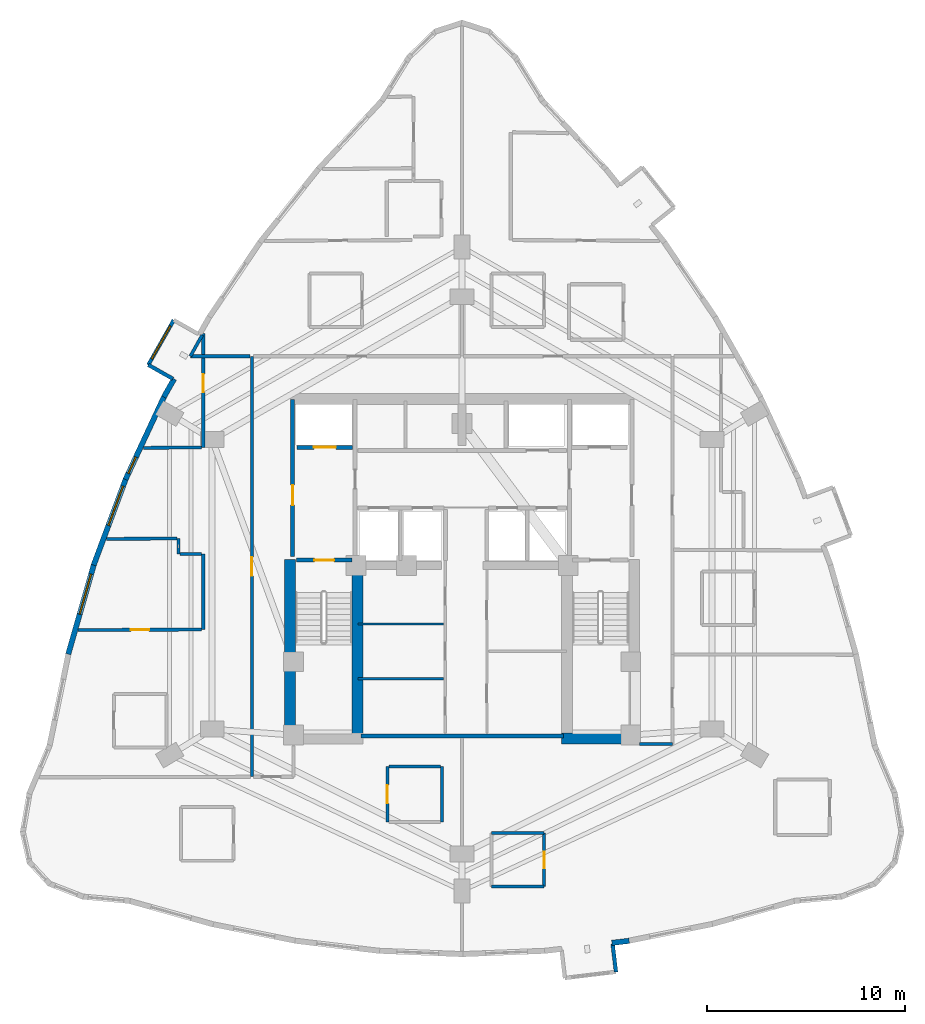
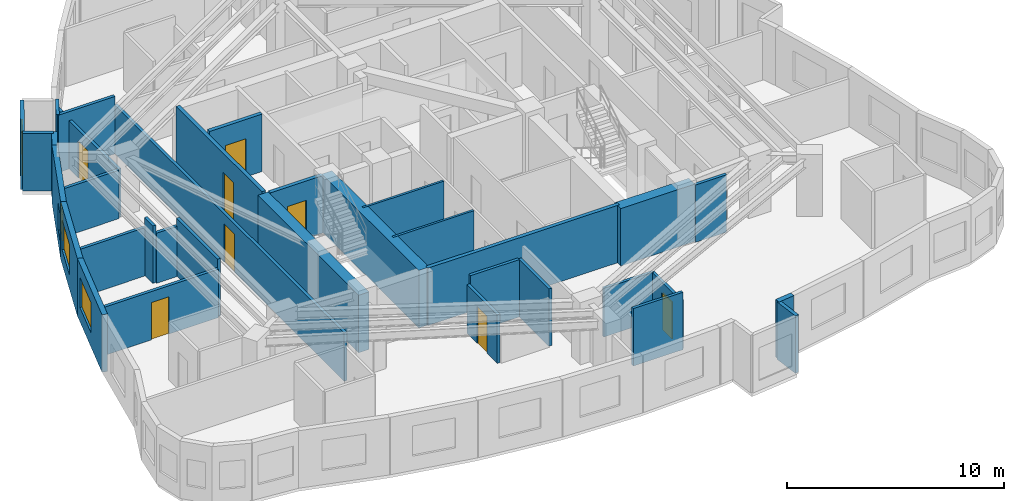
# One storey, part 7 of 12: 34 walls, 8 doors, 4 windows, 12 openings.
"""IFC4 building model written with IfcOpenShell, lengths in metres."""

from ifc_helpers import new_model, si_unit, direction, frame, frame_2d, origin, place, context, subcontext, project, spatial, rectangle, extrude, material, layer, layer_set, type_object, element, fill, save


model = new_model("IFC4")

# Units and contexts
model_context = context("Model", 3, precision=1e-05, world=origin(), true_north=direction((0.0, 1.0)))
body_context = subcontext(model_context, "Body", "Model", "MODEL_VIEW")
ifc_project = project(units=[si_unit("LENGTHUNIT", "METRE"), si_unit("AREAUNIT", "SQUARE_METRE"), si_unit("VOLUMEUNIT", "CUBIC_METRE"), si_unit("PLANEANGLEUNIT", "RADIAN"), si_unit("MASSUNIT", "GRAM", prefix="KILO")], contexts=[model_context])

# Site, building, storey
site_placement = place(None, origin())
site = spatial("IfcSite", under=ifc_project, at=site_placement, CompositionType="ELEMENT")
building_placement = place(site_placement, origin())
building = spatial("IfcBuilding", under=site, at=building_placement, Name="Miruveldt Soraemaru", CompositionType="ELEMENT")
storey_placement = place(building_placement, frame((0.0, 0.0, 103.89990234375)))
storey = spatial("IfcBuildingStorey", under=building, at=storey_placement, Name="L28", CompositionType="ELEMENT", Elevation=103.89990234375)

# Wall
ifc_material_1 = material(Name="White powder-coated aluminium EN AW-6060 T6", Category="aluminium")
ifc_layer_1 = layer(ifc_material_1, 0.18994140625, Name="White powder-coated aluminium EN AW-6060 T6", Category="aluminium")
ifc_layer_set_1 = layer_set([ifc_layer_1], Name="White powder-coated aluminium EN AW-6060 T6")
wall_type_1 = type_object("IfcWallType", Name="WALL-BAY-ALU190", PredefinedType="SOLIDWALL", material=ifc_layer_set_1)
wall_1_placement = place(storey_placement, frame((28.179931640625, 54.162109375, 0.0), z_axis=(0.0, 0.0, 1.0), x_axis=(0.869914393652, -0.493202745042, 0.0)))
element("IfcWall", 1, at=wall_1_placement, inside=storey, type_object=wall_type_1, Name="L28 Bay Window Side Cheek 4R", PredefinedType="SOLIDWALL", context=body_context, shape_type="SweptSolid", body=[
    extrude(rectangle(XDim=1.425048828125, YDim=0.18994140625, at=frame_2d((0.71240234375, 0.0))), origin(), (0.0, 0.0, 1.0), 3.235107421875),
])

# Wall, opening, window
wall_2_placement = place(storey_placement, frame((29.462646484375, 56.423828125, 0.0), z_axis=(0.0, 0.0, 1.0), x_axis=(-0.493325260824, -0.869844921255, 0.0)))
wall_2 = element("IfcWall", 2, at=wall_2_placement, inside=storey, type_object=wall_type_1, Name="L28 Bay Window Front Frame 4", PredefinedType="SOLIDWALL", context=body_context, shape_type="SweptSolid", body=[
    extrude(rectangle(XDim=2.60009765625, YDim=0.18994140625, at=frame_2d((1.300048828125, 0.0))), origin(), (0.0, 0.0, 1.0), 3.235107421875),
])
opening_1_placement = place(wall_2_placement, frame((0.35009765625, 0.0, 0.550048828125)))
opening_1 = element("IfcOpeningElement", 3, at=opening_1_placement, cuts=wall_2, Name="Opening WN-6", PredefinedType="OPENING", context=body_context, shape_type="SweptSolid", body=[
    extrude(rectangle(XDim=1.89990234375, YDim=1.85009765625, at=frame_2d((0.949951171875, 0.925048828125))), frame((0.0, 0.10498046875, 0.0), z_axis=(0.0, -1.0, 0.0), x_axis=(1.0, 0.0, 0.0)), (0.0, 0.0, 1.0), 0.2099609375),
])
ifc_material_2 = material(Name="Triple low-e insulated glazing", Category="glass")
window_type_1 = type_object("IfcWindowType", Name="WIN-BAYW-1900x1850", PartitioningType="SINGLE_PANEL", PredefinedType="WINDOW", material=ifc_material_2)
window_1_placement = place(opening_1_placement, origin())
window_1 = element("IfcWindow", 4, at=window_1_placement, inside=storey, type_object=window_type_1, Name="L28 Projecting Bay Window 4", OverallHeight=1.85009765625, OverallWidth=1.89990234375, PartitioningType="SINGLE_PANEL", PredefinedType="WINDOW", context=body_context, shape_type="SweptSolid", body=[
    extrude(rectangle(XDim=1.89990234375, YDim=1.85009765625, at=frame_2d((0.949951171875, 0.925048828125))), frame((0.0, 0.030029296875, 0.0), z_axis=(0.0, -1.0, 0.0), x_axis=(1.0, 0.0, 0.0)), (0.0, 0.0, 1.0), 0.06005859375),
])
fill(opening_1, window_1)

# Walls
wall_3_placement = place(storey_placement, frame((51.755615234375, 23.561279296875, 0.0), z_axis=(0.0, 0.0, 1.0), x_axis=(-0.119057405757, 0.992887372331, 0.0)))
element("IfcWall", 5, at=wall_3_placement, inside=storey, type_object=wall_type_1, Name="L28 Bay Window Side Cheek 1R", PredefinedType="SOLIDWALL", context=body_context, shape_type="SweptSolid", body=[
    extrude(rectangle(XDim=1.42529296875, YDim=0.18994140625, at=frame_2d((0.712646484375, 0.0))), origin(), (0.0, 0.0, 1.0), 3.235107421875),
])
ifc_material_3 = material(Name="Concrete C70/85 (70 MPa)", Category="concrete")
ifc_layer_2 = layer(ifc_material_3, 0.550048828125, Name="Concrete C70/85 (70 MPa)", Category="concrete")
ifc_layer_set_2 = layer_set([ifc_layer_2], Name="Concrete C70/85 (70 MPa)")
wall_type_2 = type_object("IfcWallType", Name="WALL-CW-550", PredefinedType="SHEAR", material=ifc_layer_set_2)
wall_4_placement = place(storey_placement, frame((49.0, 35.324951171875, 0.0), z_axis=(0.0, 0.0, 1.0), x_axis=(1.0, 0.0, 0.0)))
element("IfcWall", 6, at=wall_4_placement, inside=storey, type_object=wall_type_2, Name="L28 Central Core Shear Wall S2", PredefinedType="SHEAR", context=body_context, shape_type="SweptSolid", body=[
    extrude(rectangle(XDim=3.949951171875, YDim=0.550048828125, at=frame_2d((1.97509765625, 0.0))), origin(), (0.0, 0.0, 1.0), 3.235107421875),
])
wall_5_placement = place(storey_placement, frame((35.324951171875, 35.050048828125, 0.0), z_axis=(0.0, 0.0, 1.0), x_axis=(0.0, 1.0, 0.0)))
element("IfcWall", 7, at=wall_5_placement, inside=storey, type_object=wall_type_2, Name="L28 Central Core Shear Wall W1", PredefinedType="SHEAR", context=body_context, shape_type="SweptSolid", body=[
    extrude(rectangle(XDim=9.300048828125, YDim=0.550048828125, at=frame_2d((4.64990234375, 0.0))), origin(), (0.0, 0.0, 1.0), 3.235107421875),
])
wall_6_placement = place(storey_placement, frame((38.72509765625, 35.39990234375, 0.0), z_axis=(0.0, 0.0, 1.0), x_axis=(0.0, 1.0, 0.0)))
element("IfcWall", 8, at=wall_6_placement, inside=storey, type_object=wall_type_2, Name="L28 Central Core Shear Wall SW-INT", PredefinedType="SHEAR", context=body_context, shape_type="SweptSolid", body=[
    extrude(rectangle(XDim=8.9501953125, YDim=0.550048828125, at=frame_2d((4.47509765625, 0.0))), origin(), (0.0, 0.0, 1.0), 3.235107421875),
])
ifc_material_4 = material(Name="Precast concrete C45/55 (45 MPa)", Category="concrete")
ifc_layer_3 = layer(ifc_material_4, 0.27001953125, Name="Precast concrete C45/55 (45 MPa)", Category="concrete")
ifc_layer_set_3 = layer_set([ifc_layer_3], Name="Precast concrete C45/55 (45 MPa)")
wall_type_3 = type_object("IfcWallType", Name="WALL-EXT-PC270", PredefinedType="SOLIDWALL", material=ifc_layer_set_3)
wall_7_placement = place(storey_placement, frame((29.482177734375, 53.458251953125, 0.0), z_axis=(0.0, 0.0, 1.0), x_axis=(-0.493468236587, -0.869763818217, 0.0)))
element("IfcWall", 9, at=wall_7_placement, inside=storey, type_object=wall_type_3, Name="L28 Precast Pier Wall 10B", PredefinedType="SOLIDWALL", context=body_context, shape_type="SweptSolid", body=[
    extrude(rectangle(XDim=1.05419921875, YDim=0.27001953125, at=frame_2d((0.527099609375, 0.0))), origin(), (0.0, 0.0, 1.0), 3.235107421875),
])

# Wall, opening, window
wall_8_placement = place(storey_placement, frame((28.994140625, 52.603271484375, 0.0), z_axis=(0.0, 0.0, 1.0), x_axis=(-0.422316092013, -0.906448629778, 0.0)))
wall_8 = element("IfcWall", 10, at=wall_8_placement, inside=storey, type_object=wall_type_3, Name="L28 Precast Concrete Facade Wall 11", PredefinedType="SOLIDWALL", context=body_context, shape_type="SweptSolid", body=[
    extrude(rectangle(XDim=4.6484375, YDim=0.27001953125, at=frame_2d((2.32421875, 0.0))), origin(), (0.0, 0.0, 1.0), 3.235107421875),
])
opening_2_placement = place(wall_8_placement, frame((3.407958984375, 0.0, 0.780029296875)))
opening_2 = element("IfcOpeningElement", 11, at=opening_2_placement, cuts=wall_8, Name="Opening WN-7", PredefinedType="OPENING", context=body_context, shape_type="SweptSolid", body=[
    extrude(rectangle(XDim=0.89990234375, YDim=1.5, at=frame_2d((0.449951171875, 0.75))), frame((0.0, 0.14501953125, 0.0), z_axis=(0.0, -1.0, 0.0), x_axis=(1.0, 0.0, 0.0)), (0.0, 0.0, 1.0), 0.2900390625),
])
window_type_2 = type_object("IfcWindowType", Name="WIN-PUNCH-900x1500", PartitioningType="SINGLE_PANEL", PredefinedType="WINDOW", material=ifc_material_2)
window_2_placement = place(opening_2_placement, origin())
window_2 = element("IfcWindow", 12, at=window_2_placement, inside=storey, type_object=window_type_2, Name="L28 Punched Triple-Glazed Window 11.1", OverallHeight=1.5, OverallWidth=0.89990234375, PartitioningType="SINGLE_PANEL", PredefinedType="WINDOW", context=body_context, shape_type="SweptSolid", body=[
    extrude(rectangle(XDim=0.89990234375, YDim=1.5, at=frame_2d((0.449951171875, 0.75))), frame((0.0, 0.030029296875, 0.0), z_axis=(0.0, -1.0, 0.0), x_axis=(1.0, 0.0, 0.0)), (0.0, 0.0, 1.0), 0.06005859375),
])
fill(opening_2, window_2)

wall_9_placement = place(storey_placement, frame((27.057861328125, 48.4541015625, 0.0), z_axis=(0.0, 0.0, 1.0), x_axis=(-0.34901196631, -0.937118267548, 0.0)))
wall_9 = element("IfcWall", 13, at=wall_9_placement, inside=storey, type_object=wall_type_3, Name="L28 Precast Concrete Facade Wall 12", PredefinedType="SOLIDWALL", context=body_context, shape_type="SweptSolid", body=[
    extrude(rectangle(XDim=4.677734375, YDim=0.27001953125, at=frame_2d((2.3388671875, 0.0))), origin(), (0.0, 0.0, 1.0), 3.235107421875),
])
opening_3_placement = place(wall_9_placement, frame((0.43798828125, 0.0, 0.800048828125)))
opening_3 = element("IfcOpeningElement", 14, at=opening_3_placement, cuts=wall_9, Name="Opening WN-1", PredefinedType="OPENING", context=body_context, shape_type="SweptSolid", body=[
    extrude(rectangle(XDim=2.10009765625, YDim=1.699951171875, at=frame_2d((1.050048828125, 0.85009765625))), frame((0.0, 0.14501953125, 0.0), z_axis=(0.0, -1.0, 0.0), x_axis=(1.0, 0.0, 0.0)), (0.0, 0.0, 1.0), 0.2900390625),
])
window_type_3 = type_object("IfcWindowType", Name="WIN-PUNCH-2100x1700", PartitioningType="SINGLE_PANEL", PredefinedType="WINDOW", material=ifc_material_2)
window_3_placement = place(opening_3_placement, origin())
window_3 = element("IfcWindow", 15, at=window_3_placement, inside=storey, type_object=window_type_3, Name="L28 Punched Triple-Glazed Window 12.1", OverallHeight=1.699951171875, OverallWidth=2.10009765625, PartitioningType="SINGLE_PANEL", PredefinedType="WINDOW", context=body_context, shape_type="SweptSolid", body=[
    extrude(rectangle(XDim=2.10009765625, YDim=1.699951171875, at=frame_2d((1.050048828125, 0.85009765625))), frame((0.0, 0.030029296875, 0.0), z_axis=(0.0, -1.0, 0.0), x_axis=(1.0, 0.0, 0.0)), (0.0, 0.0, 1.0), 0.06005859375),
])
fill(opening_3, window_3)

wall_10_placement = place(storey_placement, frame((25.447021484375, 44.13720703125, 0.0), z_axis=(0.0, 0.0, 1.0), x_axis=(-0.274932196805, -0.961463617179, 0.0)))
wall_10 = element("IfcWall", 16, at=wall_10_placement, inside=storey, type_object=wall_type_3, Name="L28 Precast Concrete Facade Wall 13", PredefinedType="SOLIDWALL", context=body_context, shape_type="SweptSolid", body=[
    extrude(rectangle(XDim=4.73583984375, YDim=0.27001953125, at=frame_2d((2.367919921875, 0.0))), origin(), (0.0, 0.0, 1.0), 3.235107421875),
])
opening_4_placement = place(wall_10_placement, frame((0.5439453125, 0.0, 0.800048828125)))
opening_4 = element("IfcOpeningElement", 17, at=opening_4_placement, cuts=wall_10, Name="Opening WN-1", PredefinedType="OPENING", context=body_context, shape_type="SweptSolid", body=[
    extrude(rectangle(XDim=2.10009765625, YDim=1.699951171875, at=frame_2d((1.050048828125, 0.85009765625))), frame((0.0, 0.14501953125, 0.0), z_axis=(0.0, -1.0, 0.0), x_axis=(1.0, 0.0, 0.0)), (0.0, 0.0, 1.0), 0.2900390625),
])
window_4_placement = place(opening_4_placement, origin())
window_4 = element("IfcWindow", 18, at=window_4_placement, inside=storey, type_object=window_type_3, Name="L28 Punched Triple-Glazed Window 13.1", OverallHeight=1.699951171875, OverallWidth=2.10009765625, PartitioningType="SINGLE_PANEL", PredefinedType="WINDOW", context=body_context, shape_type="SweptSolid", body=[
    extrude(rectangle(XDim=2.10009765625, YDim=1.699951171875, at=frame_2d((1.050048828125, 0.85009765625))), frame((0.0, 0.030029296875, 0.0), z_axis=(0.0, -1.0, 0.0), x_axis=(1.0, 0.0, 0.0)), (0.0, 0.0, 1.0), 0.06005859375),
])
fill(opening_4, window_4)

# Walls
wall_11_placement = place(storey_placement, frame((51.549560546875, 25.02734375, 0.0), z_axis=(0.0, 0.0, 1.0), x_axis=(0.992866288906, 0.119233100912, 0.0)))
element("IfcWall", 19, at=wall_11_placement, inside=storey, type_object=wall_type_3, Name="L28 Precast Pier Wall 26B", PredefinedType="SOLIDWALL", context=body_context, shape_type="SweptSolid", body=[
    extrude(rectangle(XDim=0.87646484375, YDim=0.27001953125, at=frame_2d((0.438232421875, 0.0))), origin(), (0.0, 0.0, 1.0), 3.235107421875),
])
ifc_material_5 = material(Name="Gypsum plasterboard lining", Category="gypsum")
ifc_layer_4 = layer(ifc_material_5, 0.1201171875, Name="Gypsum plasterboard lining", Category="gypsum")
ifc_layer_set_4 = layer_set([ifc_layer_4], Name="Gypsum plasterboard lining")
wall_type_4 = type_object("IfcWallType", Name="WALL-INT-P120", PredefinedType="PARTITIONING", material=ifc_layer_set_4)
for number, where, z_axis, x_axis, name in (
    (20, (38.75, 38.35009765625, 0.0), (0.0, 0.0, 1.0), (1.0, 0.0, 0.0), "L28 Core Compartment Wall RL-W3A"),
    (21, (38.75, 41.10009765625, 0.0), (0.0, 0.0, 1.0), (1.0, 0.0, 0.0), "L28 Core Compartment Wall RL-W3B"),
):
    element("IfcWall", number, at=place(storey_placement, frame(where, z_axis=z_axis, x_axis=x_axis)), inside=storey, type_object=wall_type_4, Name=name, PredefinedType="PARTITIONING", context=body_context, shape_type="SweptSolid", body=[
        extrude(rectangle(XDim=4.300048828125, YDim=0.1201171875, at=frame_2d((2.14990234375, 0.0))), origin(), (0.0, 0.0, 1.0), 3.235107421875),
    ])

# Wall, opening, door
ifc_layer_5 = layer(ifc_material_5, 0.14990234375, Name="Gypsum plasterboard lining", Category="gypsum")
ifc_layer_set_5 = layer_set([ifc_layer_5], Name="Gypsum plasterboard lining")
wall_type_5 = type_object("IfcWallType", Name="WALL-INT-PLUMB", PredefinedType="PLUMBINGWALL", material=ifc_layer_set_5)
wall_12_placement = place(storey_placement, frame((48.1298828125, 27.868896484375, 0.0), z_axis=(0.0, 0.0, 1.0), x_axis=(0.0, 1.0, 0.0)))
wall_12 = element("IfcWall", 22, at=wall_12_placement, inside=storey, type_object=wall_type_5, Name="L28 Partition Wall 49", PredefinedType="PLUMBINGWALL", context=body_context, shape_type="SweptSolid", body=[
    extrude(rectangle(XDim=2.7001953125, YDim=0.14990234375, at=frame_2d((1.35009765625, 0.0))), origin(), (0.0, 0.0, 1.0), 2.72314453125),
])
opening_5_placement = place(wall_12_placement, frame((0.909912109375, 0.0, 0.0)))
opening_5 = element("IfcOpeningElement", 23, at=opening_5_placement, cuts=wall_12, Name="Opening FD3", PredefinedType="OPENING", context=body_context, shape_type="SweptSolid", body=[
    extrude(rectangle(XDim=0.85009765625, YDim=2.10009765625, at=frame_2d((0.425048828125, 1.050048828125))), frame((0.0, 0.0849609375, 0.0), z_axis=(0.0, -1.0, 0.0), x_axis=(1.0, 0.0, 0.0)), (0.0, 0.0, 1.0), 0.169921875),
])
ifc_material_6 = material(Name="Anodised aluminium EN AW-6063 T6", Category="aluminium")
door_type_1 = type_object("IfcDoorType", Name="DOOR-FD3-850", OperationType="NOTDEFINED", PredefinedType="DOOR", material=ifc_material_6)
door_1_placement = place(opening_5_placement, origin())
door_1 = element("IfcDoor", 24, at=door_1_placement, inside=storey, type_object=door_type_1, Name="L28 Unit CL04 BTH Door", OperationType="SINGLE_SWING_LEFT", OverallHeight=2.10009765625, OverallWidth=0.85009765625, PredefinedType="DOOR", context=body_context, shape_type="SweptSolid", body=[
    extrude(rectangle(XDim=0.85009765625, YDim=2.10009765625, at=frame_2d((0.425048828125, 1.050048828125))), frame((0.0, 0.02490234375, 0.0), z_axis=(0.0, -1.0, 0.0), x_axis=(1.0, 0.0, 0.0)), (0.0, 0.0, 1.0), 0.050048828125),
])
fill(opening_5, door_1)

# Walls
wall_13_placement = place(storey_placement, frame((48.1298828125, 30.569091796875, 0.0), z_axis=(0.0, 0.0, 1.0), x_axis=(-1.0, 0.0, 0.0)))
element("IfcWall", 25, at=wall_13_placement, inside=storey, type_object=wall_type_5, Name="L28 Partition Wall 50", PredefinedType="PLUMBINGWALL", context=body_context, shape_type="SweptSolid", body=[
    extrude(rectangle(XDim=2.64990234375, YDim=0.14990234375, at=frame_2d((1.324951171875, 0.0))), origin(), (0.0, 0.0, 1.0), 2.735107421875),
])
wall_14_placement = place(storey_placement, frame((45.47998046875, 27.868896484375, 0.0), z_axis=(0.0, 0.0, 1.0), x_axis=(1.0, 0.0, 0.0)))
element("IfcWall", 26, at=wall_14_placement, inside=storey, type_object=wall_type_5, Name="L28 Partition Wall 52", PredefinedType="PLUMBINGWALL", context=body_context, shape_type="SweptSolid", body=[
    extrude(rectangle(XDim=2.64990234375, YDim=0.14990234375, at=frame_2d((1.324951171875, 0.0))), origin(), (0.0, 0.0, 1.0), 3.235107421875),
])

# Wall, opening, door
ifc_material_7 = material(Name="Concrete C40/50 (40 MPa)", Category="concrete")
ifc_layer_6 = layer(ifc_material_7, 0.159912109375, Name="Concrete C40/50 (40 MPa)", Category="concrete")
ifc_layer_set_6 = layer_set([ifc_layer_6], Name="Concrete C40/50 (40 MPa)")
wall_type_6 = type_object("IfcWallType", Name="WALL-INT-RC160", PredefinedType="SOLIDWALL", material=ifc_layer_set_6)
wall_15_placement = place(storey_placement, frame((33.39990234375, 54.595947265625, 0.0), z_axis=(0.0, 0.0, 1.0), x_axis=(0.0, -1.0, 0.0)))
wall_15 = element("IfcWall", 27, at=wall_15_placement, inside=storey, type_object=wall_type_6, Name="L28 Partition Wall 3", PredefinedType="SOLIDWALL", context=body_context, shape_type="SweptSolid", body=[
    extrude(rectangle(XDim=21.19189453125, YDim=0.159912109375, at=frame_2d((10.595947265625, 0.0))), origin(), (0.0, 0.0, 1.0), 2.72314453125),
])
opening_6_placement = place(wall_15_placement, frame((10.12109375, 0.0, 0.0)))
opening_6 = element("IfcOpeningElement", 28, at=opening_6_placement, cuts=wall_15, Name="Opening FD2", PredefinedType="OPENING", context=body_context, shape_type="SweptSolid", body=[
    extrude(rectangle(XDim=0.949951171875, YDim=2.14990234375, at=frame_2d((0.47509765625, 1.074951171875))), frame((0.0, 0.08984375, 0.0), z_axis=(0.0, -1.0, 0.0), x_axis=(1.0, 0.0, 0.0)), (0.0, 0.0, 1.0), 0.179931640625),
])
door_type_2 = type_object("IfcDoorType", Name="DOOR-FD2-950", OperationType="NOTDEFINED", PredefinedType="DOOR", material=ifc_material_6)
door_2_placement = place(opening_6_placement, origin())
door_2 = element("IfcDoor", 29, at=door_2_placement, inside=storey, type_object=door_type_2, Name="L28 Unit 2803 Entrance Fire Door", OperationType="SINGLE_SWING_RIGHT", OverallHeight=2.14990234375, OverallWidth=0.949951171875, PredefinedType="DOOR", context=body_context, shape_type="SweptSolid", body=[
    extrude(rectangle(XDim=0.949951171875, YDim=2.14990234375, at=frame_2d((0.47509765625, 1.074951171875))), frame((0.0, 0.02490234375, 0.0), z_axis=(0.0, -1.0, 0.0), x_axis=(1.0, 0.0, 0.0)), (0.0, 0.0, 1.0), 0.050048828125),
])
fill(opening_6, door_2)

wall_16_placement = place(storey_placement, frame((30.8701171875, 40.820068359375, 0.0), z_axis=(0.0, 0.0, 1.0), x_axis=(-0.999995315221, -0.003060969884, 0.0)))
wall_16 = element("IfcWall", 30, at=wall_16_placement, inside=storey, type_object=wall_type_6, Name="L28 Partition Wall 45", PredefinedType="SOLIDWALL", context=body_context, shape_type="SweptSolid", body=[
    extrude(rectangle(XDim=6.22119140625, YDim=0.159912109375, at=frame_2d((3.110595703125, 0.0))), origin(), (0.0, 0.0, 1.0), 2.72314453125),
])
opening_7_placement = place(wall_16_placement, frame((2.65087890625, 0.0, 0.0)))
opening_7 = element("IfcOpeningElement", 31, at=opening_7_placement, cuts=wall_16, Name="Opening D3A", PredefinedType="OPENING", context=body_context, shape_type="SweptSolid", body=[
    extrude(rectangle(XDim=0.919921875, YDim=2.10009765625, at=frame_2d((0.4599609375, 1.050048828125))), frame((0.0, 0.08984375, 0.0), z_axis=(0.0, -1.0, 0.0), x_axis=(1.0, 0.0, 0.0)), (0.0, 0.0, 1.0), 0.179931640625),
])
door_type_3 = type_object("IfcDoorType", Name="DOOR-INT-920", OperationType="NOTDEFINED", PredefinedType="DOOR", material=ifc_material_6)
door_3_placement = place(opening_7_placement, origin())
door_3 = element("IfcDoor", 32, at=door_3_placement, inside=storey, type_object=door_type_3, Name="L28 Unit 2803 BD1 Door", OperationType="SINGLE_SWING_RIGHT", OverallHeight=2.10009765625, OverallWidth=0.919921875, PredefinedType="DOOR", context=body_context, shape_type="SweptSolid", body=[
    extrude(rectangle(XDim=0.919921875, YDim=2.10009765625, at=frame_2d((0.4599609375, 1.050048828125))), frame((0.0, 0.02490234375, 0.0), z_axis=(0.0, -1.0, 0.0), x_axis=(1.0, 0.0, 0.0)), (0.0, 0.0, 1.0), 0.050048828125),
])
fill(opening_7, door_3)

wall_17_placement = place(storey_placement, frame((30.949951171875, 55.741943359375, 0.0), z_axis=(0.0, 0.0, 1.0), x_axis=(0.0, -1.0, 0.0)))
wall_17 = element("IfcWall", 33, at=wall_17_placement, inside=storey, type_object=wall_type_6, Name="L28 Partition Wall 46", PredefinedType="SOLIDWALL", context=body_context, shape_type="SweptSolid", body=[
    extrude(rectangle(XDim=5.73486328125, YDim=0.159912109375, at=frame_2d((2.867431640625, 0.0))), origin(), (0.0, 0.0, 1.0), 2.72314453125),
])
opening_8_placement = place(wall_17_placement, frame((2.047119140625, 0.0, 0.0)))
opening_8 = element("IfcOpeningElement", 34, at=opening_8_placement, cuts=wall_17, Name="Opening D3A", PredefinedType="OPENING", context=body_context, shape_type="SweptSolid", body=[
    extrude(rectangle(XDim=0.919921875, YDim=2.10009765625, at=frame_2d((0.4599609375, 1.050048828125))), frame((0.0, 0.08984375, 0.0), z_axis=(0.0, -1.0, 0.0), x_axis=(1.0, 0.0, 0.0)), (0.0, 0.0, 1.0), 0.179931640625),
])
door_4_placement = place(opening_8_placement, origin())
door_4 = element("IfcDoor", 35, at=door_4_placement, inside=storey, type_object=door_type_3, Name="L28 Unit 2803 EXT Door", OperationType="SINGLE_SWING_LEFT", OverallHeight=2.10009765625, OverallWidth=0.919921875, PredefinedType="DOOR", context=body_context, shape_type="SweptSolid", body=[
    extrude(rectangle(XDim=0.919921875, YDim=2.10009765625, at=frame_2d((0.4599609375, 1.050048828125))), frame((0.0, 0.02490234375, 0.0), z_axis=(0.0, -1.0, 0.0), x_axis=(1.0, 0.0, 0.0)), (0.0, 0.0, 1.0), 0.050048828125),
])
fill(opening_8, door_4)

wall_18_placement = place(storey_placement, frame((40.23193359375, 33.9189453125, 0.0), z_axis=(0.0, 0.0, 1.0), x_axis=(0.0, -1.0, 0.0)))
wall_18 = element("IfcWall", 36, at=wall_18_placement, inside=storey, type_object=wall_type_6, Name="L28 Partition Wall 72", PredefinedType="SOLIDWALL", context=body_context, shape_type="SweptSolid", body=[
    extrude(rectangle(XDim=2.800048828125, YDim=0.159912109375, at=frame_2d((1.39990234375, 0.0))), origin(), (0.0, 0.0, 1.0), 2.735107421875),
])
opening_9_placement = place(wall_18_placement, frame((0.93994140625, 0.0, 0.0)))
opening_9 = element("IfcOpeningElement", 37, at=opening_9_placement, cuts=wall_18, Name="Opening D3A", PredefinedType="OPENING", context=body_context, shape_type="SweptSolid", body=[
    extrude(rectangle(XDim=0.919921875, YDim=2.10009765625, at=frame_2d((0.4599609375, 1.050048828125))), frame((0.0, 0.08984375, 0.0), z_axis=(0.0, -1.0, 0.0), x_axis=(1.0, 0.0, 0.0)), (0.0, 0.0, 1.0), 0.179931640625),
])
door_5_placement = place(opening_9_placement, origin())
door_5 = element("IfcDoor", 38, at=door_5_placement, inside=storey, type_object=door_type_3, Name="L28 Unit CL06 KIT Door", OperationType="SINGLE_SWING_RIGHT", OverallHeight=2.10009765625, OverallWidth=0.919921875, PredefinedType="DOOR", context=body_context, shape_type="SweptSolid", body=[
    extrude(rectangle(XDim=0.919921875, YDim=2.10009765625, at=frame_2d((0.4599609375, 1.050048828125))), frame((0.0, 0.02490234375, 0.0), z_axis=(0.0, -1.0, 0.0), x_axis=(1.0, 0.0, 0.0)), (0.0, 0.0, 1.0), 0.050048828125),
])
fill(opening_9, door_5)

# Walls
wall_19_placement = place(storey_placement, frame((30.949951171875, 44.6298828125, 0.0), z_axis=(0.0, 0.0, 1.0), x_axis=(0.0, -1.0, 0.0)))
element("IfcWall", 39, at=wall_19_placement, inside=storey, type_object=wall_type_6, Name="L28 Partition Wall 44", PredefinedType="SOLIDWALL", context=body_context, shape_type="SweptSolid", body=[
    extrude(rectangle(XDim=3.809814453125, YDim=0.159912109375, at=frame_2d((1.90478515625, 0.0))), origin(), (0.0, 0.0, 1.0), 3.235107421875),
])
wall_20_placement = place(storey_placement, frame((26.075927734375, 45.388916015625, 0.0), z_axis=(0.0, 0.0, 1.0), x_axis=(0.999978549982, 0.006549776768, 0.0)))
element("IfcWall", 40, at=wall_20_placement, inside=storey, type_object=wall_type_6, Name="L28 Partition Wall 41", PredefinedType="SOLIDWALL", context=body_context, shape_type="SweptSolid", body=[
    extrude(rectangle(XDim=3.541015625, YDim=0.159912109375, at=frame_2d((1.7705078125, 0.0))), origin(), (0.0, 0.0, 1.0), 2.72314453125),
])
wall_21_placement = place(storey_placement, frame((30.302001953125, 54.60009765625, 0.0), z_axis=(0.0, 0.0, 1.0), x_axis=(1.0, 0.0, 0.0)))
element("IfcWall", 41, at=wall_21_placement, inside=storey, type_object=wall_type_6, Name="L28 Partition Wall 21", PredefinedType="SOLIDWALL", context=body_context, shape_type="SweptSolid", body=[
    extrude(rectangle(XDim=3.013916015625, YDim=0.159912109375, at=frame_2d((1.5068359375, 0.0))), origin(), (0.0, 0.0, 1.0), 3.235107421875),
])
wall_22_placement = place(storey_placement, frame((30.8701171875, 50.006103515625, 0.0), z_axis=(0.0, 0.0, 1.0), x_axis=(-0.999954220456, -0.0095685418, 0.0)))
element("IfcWall", 42, at=wall_22_placement, inside=storey, type_object=wall_type_6, Name="L28 Partition Wall 47", PredefinedType="SOLIDWALL", context=body_context, shape_type="SweptSolid", body=[
    extrude(rectangle(XDim=2.934326171875, YDim=0.159912109375, at=frame_2d((1.46728515625, 0.0))), origin(), (0.0, 0.0, 1.0), 2.72314453125),
])
wall_23_placement = place(storey_placement, frame((42.98193359375, 31.118896484375, 0.0), z_axis=(0.0, 0.0, 1.0), x_axis=(0.0, 1.0, 0.0)))
element("IfcWall", 43, at=wall_23_placement, inside=storey, type_object=wall_type_6, Name="L28 Partition Wall 70", PredefinedType="SOLIDWALL", context=body_context, shape_type="SweptSolid", body=[
    extrude(rectangle(XDim=2.800048828125, YDim=0.159912109375, at=frame_2d((1.39990234375, 0.0))), origin(), (0.0, 0.0, 1.0), 3.235107421875),
])
wall_24_placement = place(storey_placement, frame((42.902099609375, 33.9189453125, 0.0), z_axis=(0.0, 0.0, 1.0), x_axis=(-1.0, 0.0, 0.0)))
element("IfcWall", 44, at=wall_24_placement, inside=storey, type_object=wall_type_6, Name="L28 Partition Wall 71", PredefinedType="SOLIDWALL", context=body_context, shape_type="SweptSolid", body=[
    extrude(rectangle(XDim=2.590087890625, YDim=0.159912109375, at=frame_2d((1.294921875, 0.0))), origin(), (0.0, 0.0, 1.0), 3.235107421875),
])
wall_25_placement = place(storey_placement, frame((52.946044921875, 35.050048828125, 0.0), z_axis=(0.0, 0.0, 1.0), x_axis=(1.0, 0.0, 0.0)))
element("IfcWall", 45, at=wall_25_placement, inside=storey, type_object=wall_type_6, Name="L28 Partition Wall 4", PredefinedType="SOLIDWALL", context=body_context, shape_type="SweptSolid", body=[
    extrude(rectangle(XDim=1.654052734375, YDim=0.159912109375, at=frame_2d((0.8271484375, 0.0))), origin(), (0.0, 0.0, 1.0), 3.235107421875),
])
wall_26_placement = place(storey_placement, frame((30.302001953125, 54.60009765625, 0.0), z_axis=(0.0, 0.0, 1.0), x_axis=(0.488591203774, 0.872512828326, 0.0)))
element("IfcWall", 46, at=wall_26_placement, inside=storey, type_object=wall_type_6, Name="L28 Partition Closure Return 1", PredefinedType="SOLIDWALL", context=body_context, shape_type="SweptSolid", body=[
    extrude(rectangle(XDim=1.22216796875, YDim=0.159912109375, at=frame_2d((0.611083984375, 0.0))), origin(), (0.0, 0.0, 1.0), 3.235107421875),
])
wall_27_placement = place(storey_placement, frame((29.777099609375, 44.6298828125, 0.0), z_axis=(0.0, 0.0, 1.0), x_axis=(1.0, 0.0, 0.0)))
element("IfcWall", 47, at=wall_27_placement, inside=storey, type_object=wall_type_6, Name="L28 Partition Wall 43", PredefinedType="SOLIDWALL", context=body_context, shape_type="SweptSolid", body=[
    extrude(rectangle(XDim=1.093017578125, YDim=0.159912109375, at=frame_2d((0.54638671875, 0.0))), origin(), (0.0, 0.0, 1.0), 2.822998046875),
])
wall_28_placement = place(storey_placement, frame((29.697021484375, 45.4130859375, 0.0), z_axis=(0.0, 0.0, 1.0), x_axis=(0.0, -1.0, 0.0)))
element("IfcWall", 48, at=wall_28_placement, inside=storey, type_object=wall_type_6, Name="L28 Partition Wall 42", PredefinedType="SOLIDWALL", context=body_context, shape_type="SweptSolid", body=[
    extrude(rectangle(XDim=0.783203125, YDim=0.159912109375, at=frame_2d((0.3916015625, 0.0))), origin(), (0.0, 0.0, 1.0), 3.235107421875),
])

# Wall, opening, door
ifc_layer_7 = layer(ifc_material_7, 0.199951171875, Name="Concrete C40/50 (40 MPa)", Category="concrete")
ifc_layer_set_7 = layer_set([ifc_layer_7], Name="Concrete C40/50 (40 MPa)")
wall_type_7 = type_object("IfcWallType", Name="WALL-INT-RC200", PredefinedType="SOLIDWALL", material=ifc_layer_set_7)
wall_29_placement = place(storey_placement, frame((35.449951171875, 44.5, 0.0), z_axis=(0.0, 0.0, 1.0), x_axis=(0.0, 1.0, 0.0)))
wall_29 = element("IfcWall", 49, at=wall_29_placement, inside=storey, type_object=wall_type_7, Name="L28 Core Compartment Wall FFW-OUT", PredefinedType="SOLIDWALL", context=body_context, shape_type="SweptSolid", body=[
    extrude(rectangle(XDim=7.919921875, YDim=0.199951171875, at=frame_2d((3.9599609375, 0.0))), origin(), (0.0, 0.0, 1.0), 3.235107421875),
])
opening_10_placement = place(wall_29_placement, frame((2.60009765625, 0.0, 0.0)))
opening_10 = element("IfcOpeningElement", 50, at=opening_10_placement, cuts=wall_29, Name="Opening FD1", PredefinedType="OPENING", context=body_context, shape_type="SweptSolid", body=[
    extrude(rectangle(XDim=1.0, YDim=2.14990234375, at=frame_2d((0.5, 1.074951171875))), frame((0.0, 0.10986328125, 0.0), z_axis=(0.0, -1.0, 0.0), x_axis=(1.0, 0.0, 0.0)), (0.0, 0.0, 1.0), 0.219970703125),
])
door_type_4 = type_object("IfcDoorType", Name="DOOR-FD1-1000", OperationType="NOTDEFINED", PredefinedType="DOOR", material=ifc_material_6)
door_6_placement = place(opening_10_placement, origin())
door_6 = element("IfcDoor", 51, at=door_6_placement, inside=storey, type_object=door_type_4, Name="L28 West Firefighting Lobby Exit Door", OperationType="SINGLE_SWING_LEFT", OverallHeight=2.14990234375, OverallWidth=1.0, PredefinedType="DOOR", context=body_context, shape_type="SweptSolid", body=[
    extrude(rectangle(XDim=1.0, YDim=2.14990234375, at=frame_2d((0.5, 1.074951171875))), frame((0.0, 0.02490234375, 0.0), z_axis=(0.0, -1.0, 0.0), x_axis=(1.0, 0.0, 0.0)), (0.0, 0.0, 1.0), 0.050048828125),
])
fill(opening_10, door_6)

wall_30_placement = place(storey_placement, frame((35.64990234375, 44.320068359375, 0.0), z_axis=(0.0, 0.0, 1.0), x_axis=(1.0, 0.0, 0.0)))
wall_30 = element("IfcWall", 52, at=wall_30_placement, inside=storey, type_object=wall_type_7, Name="L28 Core Compartment Wall ST1-N", PredefinedType="SOLIDWALL", context=body_context, shape_type="SweptSolid", body=[
    extrude(rectangle(XDim=2.800048828125, YDim=0.199951171875, at=frame_2d((1.39990234375, 0.0))), origin(), (0.0, 0.0, 1.0), 3.235107421875),
])
opening_11_placement = place(wall_30_placement, frame((0.89990234375, 0.0, 0.0)))
opening_11 = element("IfcOpeningElement", 53, at=opening_11_placement, cuts=wall_30, Name="Opening FD1", PredefinedType="OPENING", context=body_context, shape_type="SweptSolid", body=[
    extrude(rectangle(XDim=1.0, YDim=2.14990234375, at=frame_2d((0.5, 1.074951171875))), frame((0.0, 0.10986328125, 0.0), z_axis=(0.0, -1.0, 0.0), x_axis=(1.0, 0.0, 0.0)), (0.0, 0.0, 1.0), 0.219970703125),
])
door_7_placement = place(opening_11_placement, frame((1.0, 0.0, 0.0), z_axis=(0.0, 0.0, 1.0), x_axis=(-1.0, 0.0, 0.0)))
door_7 = element("IfcDoor", 54, at=door_7_placement, inside=storey, type_object=door_type_4, Name="L28 Stair ST-1 Fire Door", OperationType="SINGLE_SWING_LEFT", OverallHeight=2.14990234375, OverallWidth=1.0, PredefinedType="DOOR", context=body_context, shape_type="SweptSolid", body=[
    extrude(rectangle(XDim=1.0, YDim=2.14990234375, at=frame_2d((0.5, 1.074951171875))), frame((0.0, 0.02490234375, 0.0), z_axis=(0.0, -1.0, 0.0), x_axis=(1.0, 0.0, 0.0)), (0.0, 0.0, 1.0), 0.050048828125),
])
fill(opening_11, door_7)

wall_31_placement = place(storey_placement, frame((35.679931640625, 50.0, 0.0), z_axis=(0.0, 0.0, 1.0), x_axis=(1.0, 0.0, 0.0)))
wall_31 = element("IfcWall", 55, at=wall_31_placement, inside=storey, type_object=wall_type_7, Name="L28 Core Compartment Wall FFL1-S", PredefinedType="SOLIDWALL", context=body_context, shape_type="SweptSolid", body=[
    extrude(rectangle(XDim=2.800048828125, YDim=0.199951171875, at=frame_2d((1.39990234375, 0.0))), origin(), (0.0, 0.0, 1.0), 3.235107421875),
])
opening_12_placement = place(wall_31_placement, frame((0.85009765625, 0.0, 0.0)))
opening_12 = element("IfcOpeningElement", 56, at=opening_12_placement, cuts=wall_31, Name="Opening LD2", PredefinedType="OPENING", context=body_context, shape_type="SweptSolid", body=[
    extrude(rectangle(XDim=1.10009765625, YDim=2.14990234375, at=frame_2d((0.550048828125, 1.074951171875))), frame((0.0, 0.10986328125, 0.0), z_axis=(0.0, -1.0, 0.0), x_axis=(1.0, 0.0, 0.0)), (0.0, 0.0, 1.0), 0.219970703125),
])
door_type_5 = type_object("IfcDoorType", Name="DOOR-LD2-1100", OperationType="SLIDING_TO_LEFT", PredefinedType="DOOR", material=ifc_material_6)
door_8_placement = place(opening_12_placement, origin())
door_8 = element("IfcDoor", 57, at=door_8_placement, inside=storey, type_object=door_type_5, Name="L28 FFL-1 Landing Door", OperationType="SLIDING_TO_LEFT", OverallHeight=2.14990234375, OverallWidth=1.10009765625, PredefinedType="DOOR", context=body_context, shape_type="SweptSolid", body=[
    extrude(rectangle(XDim=1.10009765625, YDim=2.14990234375, at=frame_2d((0.550048828125, 1.074951171875))), frame((0.0, 0.02490234375, 0.0), z_axis=(0.0, -1.0, 0.0), x_axis=(1.0, 0.0, 0.0)), (0.0, 0.0, 1.0), 0.050048828125),
])
fill(opening_12, door_8)

# Wall
wall_32_placement = place(storey_placement, frame((38.89990234375, 35.449951171875, 0.0), z_axis=(0.0, 0.0, 1.0), x_axis=(1.0, 0.0, 0.0)))
element("IfcWall", 58, at=wall_32_placement, inside=storey, type_object=wall_type_7, Name="L28 Core Compartment Wall CS-S", PredefinedType="SOLIDWALL", context=body_context, shape_type="SweptSolid", body=[
    extrude(rectangle(XDim=10.2001953125, YDim=0.199951171875, at=frame_2d((5.10009765625, 0.0))), origin(), (0.0, 0.0, 1.0), 3.235107421875),
])

save(model, "model.ifc")
